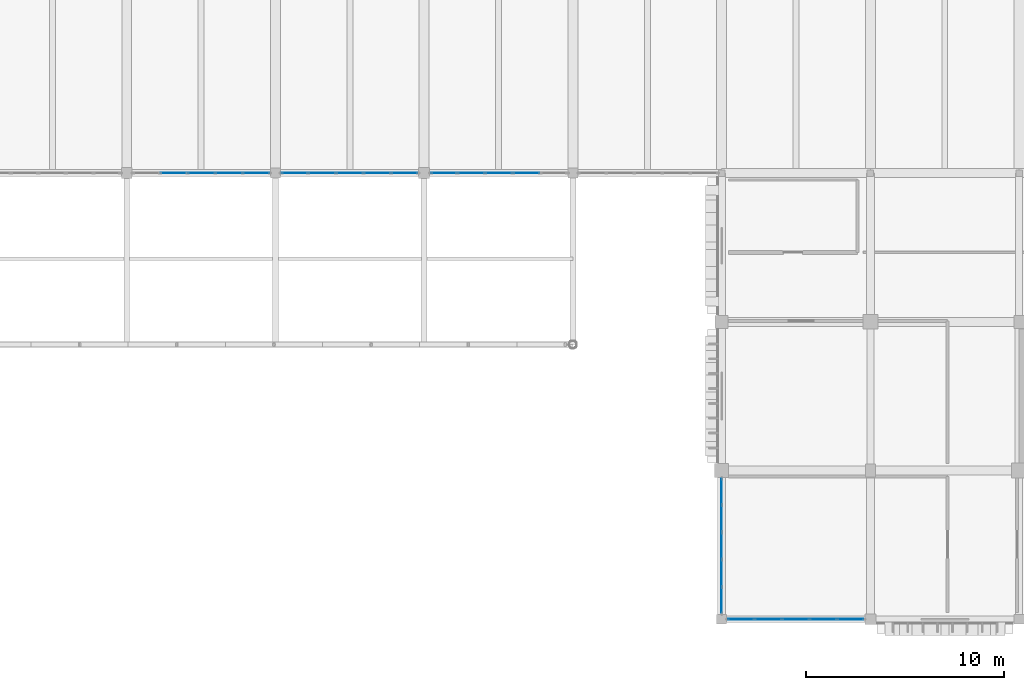
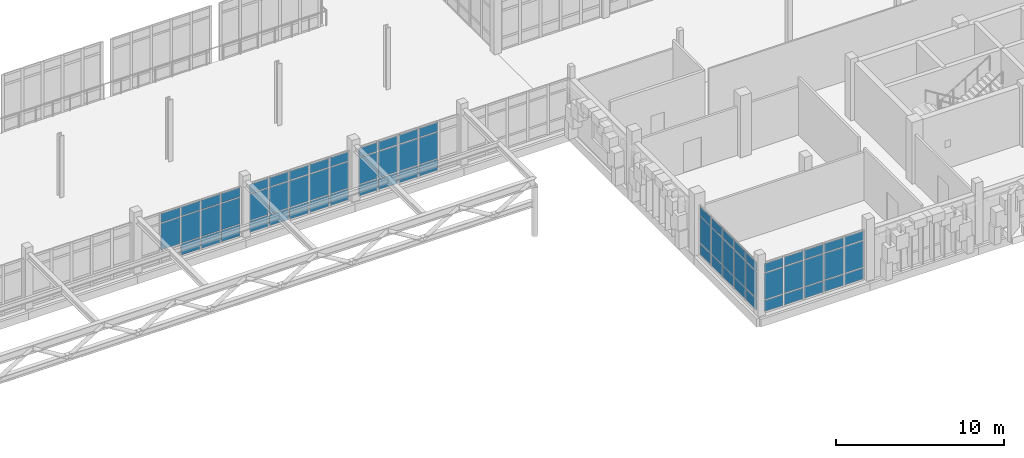
# One storey, part 76 of 128: 68 plates, 5 elements without a shape of their own.
"""IFC4 building model written with IfcOpenShell, lengths in metres."""

import ifcopenshell
import ifcopenshell.guid

model = None  # the IFC model being written
_history = None  # IfcOwnerHistory: only IFC2X3 demands one
_inside = {}  # id of a spatial element -> (the spatial element, [elements in it])
_under = {}  # id of a project, library or spatial element -> (it, [spatial elements below it])
_declared = {}  # id of a project -> (the project, [libraries it declares])
_typed = {}  # id of a type object -> (the type object, [elements of that type])
_made_of = {}  # id of a material, layer set ... -> (it, [elements and type objects made of it])


def new_model(schema):
    """Start an empty IFC model of exactly this schema.

    Asked for "IFC4X3", IfcOpenShell would pick the latest addendum, in which some entities
    have other attributes; the version numbers below select the first issue.
    IFC2X3 requires an IfcOwnerHistory on every rooted entity: one is made here for all.
    """
    global model, _history
    if schema == "IFC4X3":
        model = ifcopenshell.file(schema_version=(4, 3, 0, 0))
    else:
        model = ifcopenshell.file(schema=schema)
    _inside.clear()
    _under.clear()
    _declared.clear()
    _typed.clear()
    _made_of.clear()
    _history = None
    if model.schema == "IFC2X3":
        org = make("IfcOrganization", Name="unknown")
        user = make(
            "IfcPersonAndOrganization",
            ThePerson=make("IfcPerson", FamilyName="unknown"),
            TheOrganization=org,
        )
        app = make(
            "IfcApplication",
            ApplicationDeveloper=org,
            Version="unknown",
            ApplicationFullName="unknown",
            ApplicationIdentifier="unknown",
        )
        _history = make(
            "IfcOwnerHistory",
            OwningUser=user,
            OwningApplication=app,
            ChangeAction="ADDED",
            CreationDate=0,
        )
    return model


def make(cls, **values):
    """One entity of the class cls with the attributes given. An attribute that is None is left unset."""
    return model.create_entity(
        cls, **{name: value for name, value in values.items() if value is not None}
    )


def rooted(cls, **values):
    """An entity with a GlobalId (a new one), such as an element, a storey or a relation."""
    return make(cls, GlobalId=ifcopenshell.guid.new(), OwnerHistory=_history, **values)


def si_unit(unit_type, name, prefix=None):
    """IfcSIUnit, for example si_unit("LENGTHUNIT", "METRE", prefix="MILLI")."""
    return make("IfcSIUnit", UnitType=unit_type, Prefix=prefix, Name=name)


def assignment(units):
    """IfcUnitAssignment: the units of a project."""
    return None if units is None else make("IfcUnitAssignment", Units=units)


def point(xyz):
    """IfcCartesianPoint."""
    return None if xyz is None else make("IfcCartesianPoint", Coordinates=xyz)


def direction(xyz):
    """IfcDirection."""
    return None if xyz is None else make("IfcDirection", DirectionRatios=xyz)


def frame(location, z_axis=None, x_axis=None):
    """IfcAxis2Placement3D, a coordinate frame: its origin and axes. An axis left out is left unset."""
    return make(
        "IfcAxis2Placement3D",
        Location=point(location),
        Axis=direction(z_axis),
        RefDirection=direction(x_axis),
    )


def frame_2d(location, x_axis=None):
    """IfcAxis2Placement2D, a coordinate frame in the plane: its origin and x axis."""
    return make(
        "IfcAxis2Placement2D", Location=point(location), RefDirection=direction(x_axis)
    )


def origin():
    """The frame at (0, 0, 0) with its axes left unset."""
    return frame((0.0, 0.0, 0.0))


def origin_2d():
    """The frame at (0, 0) in the plane with its x axis left unset."""
    return frame_2d((0.0, 0.0))


def place(relative_to, where):
    """IfcLocalPlacement: puts the frame where relative to a parent placement (None: the world)."""
    return make(
        "IfcLocalPlacement", PlacementRelTo=relative_to, RelativePlacement=where
    )


def context(
    kind, dimensions, precision=None, world=None, true_north=None, identifier=None
):
    """IfcGeometricRepresentationContext, for example the 3D "Model" context."""
    return make(
        "IfcGeometricRepresentationContext",
        ContextIdentifier=identifier,
        ContextType=kind,
        CoordinateSpaceDimension=dimensions,
        Precision=precision,
        WorldCoordinateSystem=world,
        TrueNorth=true_north,
    )


def subcontext(parent, identifier, kind, view, scale=None):
    """IfcGeometricRepresentationSubContext, for example "Body" below "Model"."""
    return make(
        "IfcGeometricRepresentationSubContext",
        ContextIdentifier=identifier,
        ContextType=kind,
        ParentContext=parent,
        TargetScale=scale,
        TargetView=view,
    )


def project(units=None, contexts=None):
    """IfcProject with its units and contexts."""
    return rooted(
        "IfcProject",
        Name="project",
        RepresentationContexts=contexts,
        UnitsInContext=assignment(units),
    )


def spatial(cls, under=None, at=None, **own):
    """A site, building, storey or space (cls), placed at a placement, below another one or the project."""
    s = rooted(cls, ObjectPlacement=at, **own)
    if under is not None:
        _under.setdefault(under.id(), (under, []))[1].append(s)
    return s


def profile(cls, at=None, kind="AREA", **sizes):
    """A parametric profile (cls). Its sizes go by their IFC names, for example OverallWidth=200.0."""
    return make(cls, ProfileType=kind, Position=at, **sizes)


def rectangle(**sizes):
    """IfcRectangleProfileDef."""
    return profile("IfcRectangleProfileDef", **sizes)


def extrude(swept, where, along, depth):
    """IfcExtrudedAreaSolid: the profile swept, set in the frame where, extruded along a direction by depth."""
    return make(
        "IfcExtrudedAreaSolid",
        SweptArea=swept,
        Position=where,
        ExtrudedDirection=direction(along),
        Depth=depth,
    )


def shape(context_of_items, identifier, shape_type, items):
    """IfcShapeRepresentation: the items that make up one representation, for example the "Body"."""
    return make(
        "IfcShapeRepresentation",
        ContextOfItems=context_of_items,
        RepresentationIdentifier=identifier,
        RepresentationType=shape_type,
        Items=items,
    )


def material(Name=None, Category=None):
    """IfcMaterial."""
    return make("IfcMaterial", Name=Name, Category=Category)


def layer(
    of_material, thickness, ventilated=None, Name=None, Category=None, Priority=None
):
    """IfcMaterialLayer: one layer of a wall or slab, of a material (None: an air gap)."""
    return make(
        "IfcMaterialLayer",
        Material=of_material,
        LayerThickness=thickness,
        IsVentilated=ventilated,
        Name=Name,
        Category=Category,
        Priority=Priority,
    )


def layer_set(layers, Name=None):
    """IfcMaterialLayerSet."""
    return make("IfcMaterialLayerSet", MaterialLayers=layers, LayerSetName=Name)


def made_of(thing, what):
    """Note that an element or type object is made of a material, layer set ...; save() writes the relation."""
    if what is not None:
        _made_of.setdefault(what.id(), (what, []))[1].append(thing)
    return thing


def type_object(cls, material=None, **own):
    """A type object (cls), such as IfcWallType, which elements share."""
    return made_of(rooted(cls, **own), material)


def element(
    cls,
    number,
    at=None,
    inside=None,
    cuts=None,
    type_object=None,
    material=None,
    context=None,
    identifier="Body",
    shape_type=None,
    held_by="IfcProductDefinitionShape",
    body=None,
    shapes=None,
    **own,
):
    """One element of the class cls, such as IfcWall. Its Tag is "e" and its number.

    at: its placement. inside: the storey or other place that contains it. cuts: it is an
    opening in that element (IfcRelVoidsElement). A single representation is given by context,
    identifier, shape_type and body (its items); several are given by shapes. held_by: the class
    of the entity that holds the representations. save() writes the other relations.
    """
    e = rooted(cls, Tag="e%d" % number, ObjectPlacement=at, **own)
    if body is not None:
        shapes = [shape(context, identifier, shape_type, body)]
    if shapes is not None:
        e.Representation = make(held_by, Representations=shapes)
    if inside is not None:
        _inside.setdefault(inside.id(), (inside, []))[1].append(e)
    if cuts is not None:
        rooted(
            "IfcRelVoidsElement", RelatingBuildingElement=cuts, RelatedOpeningElement=e
        )
    if type_object is not None:
        _typed.setdefault(type_object.id(), (type_object, []))[1].append(e)
    return made_of(e, material)


def aggregate(whole, parts):
    """IfcRelAggregates: a whole, such as a stair, and the parts it consists of."""
    return rooted("IfcRelAggregates", RelatingObject=whole, RelatedObjects=parts)


def save(model, path):
    """Write the relations noted so far, then the file.

    IfcRelAggregates (storeys below a building ...), IfcRelContainedInSpatialStructure (elements
    in a storey), IfcRelDefinesByType, IfcRelAssociatesMaterial and IfcRelDeclares: one each for
    every whole, place, type object, material and project.
    """
    for whole, parts in _under.values():
        aggregate(whole, parts)
    for where, things in _inside.values():
        rooted(
            "IfcRelContainedInSpatialStructure",
            RelatedElements=things,
            RelatingStructure=where,
        )
    for kind, things in _typed.values():
        rooted("IfcRelDefinesByType", RelatedObjects=things, RelatingType=kind)
    for what, things in _made_of.values():
        rooted("IfcRelAssociatesMaterial", RelatedObjects=things, RelatingMaterial=what)
    for by, libraries in _declared.values():
        rooted("IfcRelDeclares", RelatingContext=by, RelatedDefinitions=libraries)
    model.write(path)


model = new_model("IFC4")

# Units and contexts
model_context = context("Model", 3, precision=1e-05, world=origin(), true_north=direction((0.0, 1.0)))
body_context = subcontext(model_context, "Body", "Model", "MODEL_VIEW")
ifc_project = project(units=[si_unit("LENGTHUNIT", "METRE"), si_unit("AREAUNIT", "SQUARE_METRE"), si_unit("VOLUMEUNIT", "CUBIC_METRE"), si_unit("PLANEANGLEUNIT", "RADIAN"), si_unit("MASSUNIT", "GRAM", prefix="KILO")], contexts=[model_context])

# Site, building, storey
site_placement = place(None, origin())
site = spatial("IfcSite", under=ifc_project, at=site_placement, CompositionType="ELEMENT")
building_placement = place(site_placement, origin())
building = spatial("IfcBuilding", under=site, at=building_placement, Name="Dalvernix Boulevard General Hospital", CompositionType="ELEMENT")
storey_placement = place(building_placement, frame((0.0, 0.0, 4.800048828125)))
storey = spatial("IfcBuildingStorey", under=building, at=storey_placement, Name="L01", CompositionType="ELEMENT", Elevation=4.800048828125)

# Curtain wall, plates
ifc_material_1 = material(Name="Thermally broken aluminium and solar-control glass curtain wall", Category="aluminium")
ifc_layer_1 = layer(ifc_material_1, 0.159912109375)
ifc_layer_set_1 = layer_set([ifc_layer_1], Name="Thermally broken aluminium and solar-control glass curtain wall (CW-CW-A-70x36)")
curtain_wall_type_1 = type_object("IfcCurtainWallType", Name="CW-CW-A-70x36", PredefinedType="USERDEFINED", material=ifc_layer_set_1)
curtain_wall_1_placement = place(storey_placement, origin())
curtain_wall_1 = element("IfcCurtainWall", 1, at=curtain_wall_1_placement, inside=storey, type_object=curtain_wall_type_1, Name="L01 curtain wall CW-A-70x36 11-3", ObjectType="GLAZED FACADE", PredefinedType="USERDEFINED")
ifc_material_2 = material(Name="Double-glazed solar-control low-emissivity glass", Category="glass")
ifc_layer_2 = layer(ifc_material_2, 0.02392578125)
ifc_layer_set_2 = layer_set([ifc_layer_2], Name="Double-glazed solar-control low-emissivity glass (PLT-CW-P1)")
plate_type_1 = type_object("IfcPlateType", Name="PLT-CW-P1", PredefinedType="CURTAIN_PANEL", material=ifc_layer_set_2)
plate_1_placement = place(storey_placement, frame((89.029541015625, 22.5, 0.059814453125), z_axis=(0.0, 0.0, 1.0), x_axis=(-1.0, 0.0, 0.0)))
plate_1 = element("IfcPlate", 2, at=plate_1_placement, type_object=plate_type_1, Name="CW-A-70x36 panel 1.1", PredefinedType="CURTAIN_PANEL", context=body_context, shape_type="SweptSolid", body=[
    extrude(rectangle(XDim=1.301025390625, YDim=0.02392578125, at=origin_2d()), origin(), (0.0, 0.0, 1.0), 0.81005859375),
])
plate_2_placement = place(storey_placement, frame((89.029541015625, 22.5, 0.929931640625), z_axis=(0.0, 0.0, 1.0), x_axis=(-1.0, 0.0, 0.0)))
plate_2 = element("IfcPlate", 3, at=plate_2_placement, type_object=plate_type_1, Name="CW-A-70x36 panel 1.2", PredefinedType="CURTAIN_PANEL", context=body_context, shape_type="SweptSolid", body=[
    extrude(rectangle(XDim=1.301025390625, YDim=0.02392578125, at=origin_2d()), origin(), (0.0, 0.0, 1.0), 1.919921875),
])
plate_3_placement = place(storey_placement, frame((89.029541015625, 22.5, 2.91015625), z_axis=(0.0, 0.0, 1.0), x_axis=(-1.0, 0.0, 0.0)))
plate_3 = element("IfcPlate", 4, at=plate_3_placement, type_object=plate_type_1, Name="CW-A-70x36 panel 1.3", PredefinedType="CURTAIN_PANEL", context=body_context, shape_type="SweptSolid", body=[
    extrude(rectangle(XDim=1.301025390625, YDim=0.02392578125, at=origin_2d()), origin(), (0.0, 0.0, 1.0), 0.659912109375),
])
plate_4_placement = place(storey_placement, frame((87.653564453125, 22.5, 0.059814453125), z_axis=(0.0, 0.0, 1.0), x_axis=(-1.0, 0.0, 0.0)))
plate_4 = element("IfcPlate", 5, at=plate_4_placement, type_object=plate_type_1, Name="CW-A-70x36 panel 2.1", PredefinedType="CURTAIN_PANEL", context=body_context, shape_type="SweptSolid", body=[
    extrude(rectangle(XDim=1.3310546875, YDim=0.02392578125, at=origin_2d()), origin(), (0.0, 0.0, 1.0), 0.81005859375),
])
plate_5_placement = place(storey_placement, frame((87.653564453125, 22.5, 0.929931640625), z_axis=(0.0, 0.0, 1.0), x_axis=(-1.0, 0.0, 0.0)))
plate_5 = element("IfcPlate", 6, at=plate_5_placement, type_object=plate_type_1, Name="CW-A-70x36 panel 2.2", PredefinedType="CURTAIN_PANEL", context=body_context, shape_type="SweptSolid", body=[
    extrude(rectangle(XDim=1.3310546875, YDim=0.02392578125, at=origin_2d()), origin(), (0.0, 0.0, 1.0), 1.919921875),
])
plate_6_placement = place(storey_placement, frame((87.653564453125, 22.5, 2.91015625), z_axis=(0.0, 0.0, 1.0), x_axis=(-1.0, 0.0, 0.0)))
plate_6 = element("IfcPlate", 7, at=plate_6_placement, type_object=plate_type_1, Name="CW-A-70x36 panel 2.3", PredefinedType="CURTAIN_PANEL", context=body_context, shape_type="SweptSolid", body=[
    extrude(rectangle(XDim=1.3310546875, YDim=0.02392578125, at=origin_2d()), origin(), (0.0, 0.0, 1.0), 0.659912109375),
])
plate_7_placement = place(storey_placement, frame((86.262451171875, 22.5, 0.059814453125), z_axis=(0.0, 0.0, 1.0), x_axis=(-1.0, 0.0, 0.0)))
plate_7 = element("IfcPlate", 8, at=plate_7_placement, type_object=plate_type_1, Name="CW-A-70x36 panel 3.1", PredefinedType="CURTAIN_PANEL", context=body_context, shape_type="SweptSolid", body=[
    extrude(rectangle(XDim=1.3310546875, YDim=0.02392578125, at=origin_2d()), origin(), (0.0, 0.0, 1.0), 0.81005859375),
])
plate_8_placement = place(storey_placement, frame((86.262451171875, 22.5, 0.929931640625), z_axis=(0.0, 0.0, 1.0), x_axis=(-1.0, 0.0, 0.0)))
plate_8 = element("IfcPlate", 9, at=plate_8_placement, type_object=plate_type_1, Name="CW-A-70x36 panel 3.2", PredefinedType="CURTAIN_PANEL", context=body_context, shape_type="SweptSolid", body=[
    extrude(rectangle(XDim=1.3310546875, YDim=0.02392578125, at=origin_2d()), origin(), (0.0, 0.0, 1.0), 1.919921875),
])
plate_9_placement = place(storey_placement, frame((86.262451171875, 22.5, 2.91015625), z_axis=(0.0, 0.0, 1.0), x_axis=(-1.0, 0.0, 0.0)))
plate_9 = element("IfcPlate", 10, at=plate_9_placement, type_object=plate_type_1, Name="CW-A-70x36 panel 3.3", PredefinedType="CURTAIN_PANEL", context=body_context, shape_type="SweptSolid", body=[
    extrude(rectangle(XDim=1.3310546875, YDim=0.02392578125, at=origin_2d()), origin(), (0.0, 0.0, 1.0), 0.659912109375),
])
plate_10_placement = place(storey_placement, frame((84.87158203125, 22.5, 0.929931640625), z_axis=(0.0, 0.0, 1.0), x_axis=(-1.0, 0.0, 0.0)))
plate_10 = element("IfcPlate", 11, at=plate_10_placement, type_object=plate_type_1, Name="CW-A-70x36 panel 4.2", PredefinedType="CURTAIN_PANEL", context=body_context, shape_type="SweptSolid", body=[
    extrude(rectangle(XDim=1.3310546875, YDim=0.02392578125, at=origin_2d()), origin(), (0.0, 0.0, 1.0), 1.919921875),
])
plate_11_placement = place(storey_placement, frame((84.87158203125, 22.5, 2.91015625), z_axis=(0.0, 0.0, 1.0), x_axis=(-1.0, 0.0, 0.0)))
plate_11 = element("IfcPlate", 12, at=plate_11_placement, type_object=plate_type_1, Name="CW-A-70x36 panel 4.3", PredefinedType="CURTAIN_PANEL", context=body_context, shape_type="SweptSolid", body=[
    extrude(rectangle(XDim=1.3310546875, YDim=0.02392578125, at=origin_2d()), origin(), (0.0, 0.0, 1.0), 0.659912109375),
])
aggregate(curtain_wall_1, [plate_1, plate_2, plate_3, plate_4, plate_5, plate_6, plate_7, plate_8, plate_9, plate_10, plate_11])

ifc_layer_3 = layer(ifc_material_1, 0.179931640625)
ifc_layer_set_3 = layer_set([ifc_layer_3], Name="Thermally broken aluminium and solar-control glass curtain wall (CW-CW-B-70x36)")
curtain_wall_type_2 = type_object("IfcCurtainWallType", Name="CW-CW-B-70x36", PredefinedType="USERDEFINED", material=ifc_layer_set_3)
curtain_wall_2_placement = place(storey_placement, origin())
curtain_wall_2 = element("IfcCurtainWall", 13, at=curtain_wall_2_placement, inside=storey, type_object=curtain_wall_type_2, Name="L01 curtain wall CW-B-70x36 12-3", ObjectType="GLAZED FACADE", PredefinedType="USERDEFINED")
ifc_layer_4 = layer(ifc_material_2, 0.028076171875)
ifc_layer_set_4 = layer_set([ifc_layer_4], Name="Double-glazed solar-control low-emissivity glass (PLT-CW-P2)")
plate_type_2 = type_object("IfcPlateType", Name="PLT-CW-P2", PredefinedType="CURTAIN_PANEL", material=ifc_layer_set_4)
plate_12_placement = place(storey_placement, frame((96.503173828125, 22.5, 0.06494140625), z_axis=(0.0, 0.0, 1.0), x_axis=(-1.0, 0.0, 0.0)))
plate_12 = element("IfcPlate", 14, at=plate_12_placement, type_object=plate_type_2, Name="CW-B-70x36 panel 1.1", PredefinedType="CURTAIN_PANEL", context=body_context, shape_type="SweptSolid", body=[
    extrude(rectangle(XDim=1.29345703125, YDim=0.028076171875, at=origin_2d()), origin(), (0.0, 0.0, 1.0), 0.802490234375),
])
plate_13_placement = place(storey_placement, frame((96.503173828125, 22.5, 0.932373046875), z_axis=(0.0, 0.0, 1.0), x_axis=(-1.0, 0.0, 0.0)))
plate_13 = element("IfcPlate", 15, at=plate_13_placement, type_object=plate_type_2, Name="CW-B-70x36 panel 1.2", PredefinedType="CURTAIN_PANEL", context=body_context, shape_type="SweptSolid", body=[
    extrude(rectangle(XDim=1.29345703125, YDim=0.028076171875, at=origin_2d()), origin(), (0.0, 0.0, 1.0), 1.9150390625),
])
plate_14_placement = place(storey_placement, frame((96.503173828125, 22.5, 2.91259765625), z_axis=(0.0, 0.0, 1.0), x_axis=(-1.0, 0.0, 0.0)))
plate_14 = element("IfcPlate", 16, at=plate_14_placement, type_object=plate_type_2, Name="CW-B-70x36 panel 1.3", PredefinedType="CURTAIN_PANEL", context=body_context, shape_type="SweptSolid", body=[
    extrude(rectangle(XDim=1.29345703125, YDim=0.028076171875, at=origin_2d()), origin(), (0.0, 0.0, 1.0), 0.652587890625),
])
plate_15_placement = place(storey_placement, frame((95.12841796875, 22.5, 0.06494140625), z_axis=(0.0, 0.0, 1.0), x_axis=(-1.0, 0.0, 0.0)))
plate_15 = element("IfcPlate", 17, at=plate_15_placement, type_object=plate_type_2, Name="CW-B-70x36 panel 2.1", PredefinedType="CURTAIN_PANEL", context=body_context, shape_type="SweptSolid", body=[
    extrude(rectangle(XDim=1.325927734375, YDim=0.028076171875, at=origin_2d()), origin(), (0.0, 0.0, 1.0), 0.802490234375),
])
plate_16_placement = place(storey_placement, frame((95.12841796875, 22.5, 0.932373046875), z_axis=(0.0, 0.0, 1.0), x_axis=(-1.0, 0.0, 0.0)))
plate_16 = element("IfcPlate", 18, at=plate_16_placement, type_object=plate_type_2, Name="CW-B-70x36 panel 2.2", PredefinedType="CURTAIN_PANEL", context=body_context, shape_type="SweptSolid", body=[
    extrude(rectangle(XDim=1.325927734375, YDim=0.028076171875, at=origin_2d()), origin(), (0.0, 0.0, 1.0), 1.9150390625),
])
plate_17_placement = place(storey_placement, frame((95.12841796875, 22.5, 2.91259765625), z_axis=(0.0, 0.0, 1.0), x_axis=(-1.0, 0.0, 0.0)))
plate_17 = element("IfcPlate", 19, at=plate_17_placement, type_object=plate_type_2, Name="CW-B-70x36 panel 2.3", PredefinedType="CURTAIN_PANEL", context=body_context, shape_type="SweptSolid", body=[
    extrude(rectangle(XDim=1.325927734375, YDim=0.028076171875, at=origin_2d()), origin(), (0.0, 0.0, 1.0), 0.652587890625),
])
plate_18_placement = place(storey_placement, frame((93.737548828125, 22.5, 0.06494140625), z_axis=(0.0, 0.0, 1.0), x_axis=(-1.0, 0.0, 0.0)))
plate_18 = element("IfcPlate", 20, at=plate_18_placement, type_object=plate_type_2, Name="CW-B-70x36 panel 3.1", PredefinedType="CURTAIN_PANEL", context=body_context, shape_type="SweptSolid", body=[
    extrude(rectangle(XDim=1.325927734375, YDim=0.028076171875, at=origin_2d()), origin(), (0.0, 0.0, 1.0), 0.802490234375),
])
plate_19_placement = place(storey_placement, frame((93.737548828125, 22.5, 0.932373046875), z_axis=(0.0, 0.0, 1.0), x_axis=(-1.0, 0.0, 0.0)))
plate_19 = element("IfcPlate", 21, at=plate_19_placement, type_object=plate_type_2, Name="CW-B-70x36 panel 3.2", PredefinedType="CURTAIN_PANEL", context=body_context, shape_type="SweptSolid", body=[
    extrude(rectangle(XDim=1.325927734375, YDim=0.028076171875, at=origin_2d()), origin(), (0.0, 0.0, 1.0), 1.9150390625),
])
plate_20_placement = place(storey_placement, frame((93.737548828125, 22.5, 2.91259765625), z_axis=(0.0, 0.0, 1.0), x_axis=(-1.0, 0.0, 0.0)))
plate_20 = element("IfcPlate", 22, at=plate_20_placement, type_object=plate_type_2, Name="CW-B-70x36 panel 3.3", PredefinedType="CURTAIN_PANEL", context=body_context, shape_type="SweptSolid", body=[
    extrude(rectangle(XDim=1.325927734375, YDim=0.028076171875, at=origin_2d()), origin(), (0.0, 0.0, 1.0), 0.652587890625),
])
plate_21_placement = place(storey_placement, frame((92.346435546875, 22.5, 0.06494140625), z_axis=(0.0, 0.0, 1.0), x_axis=(-1.0, 0.0, 0.0)))
plate_21 = element("IfcPlate", 23, at=plate_21_placement, type_object=plate_type_2, Name="CW-B-70x36 panel 4.1", PredefinedType="CURTAIN_PANEL", context=body_context, shape_type="SweptSolid", body=[
    extrude(rectangle(XDim=1.325927734375, YDim=0.028076171875, at=origin_2d()), origin(), (0.0, 0.0, 1.0), 0.802490234375),
])
plate_22_placement = place(storey_placement, frame((92.346435546875, 22.5, 0.932373046875), z_axis=(0.0, 0.0, 1.0), x_axis=(-1.0, 0.0, 0.0)))
plate_22 = element("IfcPlate", 24, at=plate_22_placement, type_object=plate_type_2, Name="CW-B-70x36 panel 4.2", PredefinedType="CURTAIN_PANEL", context=body_context, shape_type="SweptSolid", body=[
    extrude(rectangle(XDim=1.325927734375, YDim=0.028076171875, at=origin_2d()), origin(), (0.0, 0.0, 1.0), 1.9150390625),
])
plate_23_placement = place(storey_placement, frame((92.346435546875, 22.5, 2.91259765625), z_axis=(0.0, 0.0, 1.0), x_axis=(-1.0, 0.0, 0.0)))
plate_23 = element("IfcPlate", 25, at=plate_23_placement, type_object=plate_type_2, Name="CW-B-70x36 panel 4.3", PredefinedType="CURTAIN_PANEL", context=body_context, shape_type="SweptSolid", body=[
    extrude(rectangle(XDim=1.325927734375, YDim=0.028076171875, at=origin_2d()), origin(), (0.0, 0.0, 1.0), 0.652587890625),
])
plate_24_placement = place(storey_placement, frame((90.9716796875, 22.5, 0.06494140625), z_axis=(0.0, 0.0, 1.0), x_axis=(-1.0, 0.0, 0.0)))
plate_24 = element("IfcPlate", 26, at=plate_24_placement, type_object=plate_type_2, Name="CW-B-70x36 panel 5.1", PredefinedType="CURTAIN_PANEL", context=body_context, shape_type="SweptSolid", body=[
    extrude(rectangle(XDim=1.29345703125, YDim=0.028076171875, at=origin_2d()), origin(), (0.0, 0.0, 1.0), 0.802490234375),
])
plate_25_placement = place(storey_placement, frame((90.9716796875, 22.5, 0.932373046875), z_axis=(0.0, 0.0, 1.0), x_axis=(-1.0, 0.0, 0.0)))
plate_25 = element("IfcPlate", 27, at=plate_25_placement, type_object=plate_type_2, Name="CW-B-70x36 panel 5.2", PredefinedType="CURTAIN_PANEL", context=body_context, shape_type="SweptSolid", body=[
    extrude(rectangle(XDim=1.29345703125, YDim=0.028076171875, at=origin_2d()), origin(), (0.0, 0.0, 1.0), 1.9150390625),
])
plate_26_placement = place(storey_placement, frame((90.9716796875, 22.5, 2.91259765625), z_axis=(0.0, 0.0, 1.0), x_axis=(-1.0, 0.0, 0.0)))
plate_26 = element("IfcPlate", 28, at=plate_26_placement, type_object=plate_type_2, Name="CW-B-70x36 panel 5.3", PredefinedType="CURTAIN_PANEL", context=body_context, shape_type="SweptSolid", body=[
    extrude(rectangle(XDim=1.29345703125, YDim=0.028076171875, at=origin_2d()), origin(), (0.0, 0.0, 1.0), 0.652587890625),
])
aggregate(curtain_wall_2, [plate_12, plate_13, plate_14, plate_15, plate_16, plate_17, plate_18, plate_19, plate_20, plate_21, plate_22, plate_23, plate_24, plate_25, plate_26])

curtain_wall_3_placement = place(storey_placement, origin())
curtain_wall_3 = element("IfcCurtainWall", 29, at=curtain_wall_3_placement, inside=storey, type_object=curtain_wall_type_2, Name="L01 curtain wall CW-B-70x36 15-0", ObjectType="GLAZED FACADE", PredefinedType="USERDEFINED")
plate_27_placement = place(storey_placement, frame((119.003173828125, 0.0, 0.06494140625), z_axis=(0.0, 0.0, 1.0), x_axis=(-1.0, 0.0, 0.0)))
plate_27 = element("IfcPlate", 30, at=plate_27_placement, type_object=plate_type_2, Name="CW-B-70x36 panel 1.1", PredefinedType="CURTAIN_PANEL", context=body_context, shape_type="SweptSolid", body=[
    extrude(rectangle(XDim=1.29345703125, YDim=0.028076171875, at=origin_2d()), origin(), (0.0, 0.0, 1.0), 0.802490234375),
])
plate_28_placement = place(storey_placement, frame((119.003173828125, 0.0, 0.932373046875), z_axis=(0.0, 0.0, 1.0), x_axis=(-1.0, 0.0, 0.0)))
plate_28 = element("IfcPlate", 31, at=plate_28_placement, type_object=plate_type_2, Name="CW-B-70x36 panel 1.2", PredefinedType="CURTAIN_PANEL", context=body_context, shape_type="SweptSolid", body=[
    extrude(rectangle(XDim=1.29345703125, YDim=0.028076171875, at=origin_2d()), origin(), (0.0, 0.0, 1.0), 1.9150390625),
])
plate_29_placement = place(storey_placement, frame((119.003173828125, 0.0, 2.91259765625), z_axis=(0.0, 0.0, 1.0), x_axis=(-1.0, 0.0, 0.0)))
plate_29 = element("IfcPlate", 32, at=plate_29_placement, type_object=plate_type_2, Name="CW-B-70x36 panel 1.3", PredefinedType="CURTAIN_PANEL", context=body_context, shape_type="SweptSolid", body=[
    extrude(rectangle(XDim=1.29345703125, YDim=0.028076171875, at=origin_2d()), origin(), (0.0, 0.0, 1.0), 0.652587890625),
])
plate_30_placement = place(storey_placement, frame((117.62841796875, 0.0, 0.06494140625), z_axis=(0.0, 0.0, 1.0), x_axis=(-1.0, 0.0, 0.0)))
plate_30 = element("IfcPlate", 33, at=plate_30_placement, type_object=plate_type_2, Name="CW-B-70x36 panel 2.1", PredefinedType="CURTAIN_PANEL", context=body_context, shape_type="SweptSolid", body=[
    extrude(rectangle(XDim=1.325927734375, YDim=0.028076171875, at=origin_2d()), origin(), (0.0, 0.0, 1.0), 0.802490234375),
])
plate_31_placement = place(storey_placement, frame((117.62841796875, 0.0, 0.932373046875), z_axis=(0.0, 0.0, 1.0), x_axis=(-1.0, 0.0, 0.0)))
plate_31 = element("IfcPlate", 34, at=plate_31_placement, type_object=plate_type_2, Name="CW-B-70x36 panel 2.2", PredefinedType="CURTAIN_PANEL", context=body_context, shape_type="SweptSolid", body=[
    extrude(rectangle(XDim=1.325927734375, YDim=0.028076171875, at=origin_2d()), origin(), (0.0, 0.0, 1.0), 1.9150390625),
])
plate_32_placement = place(storey_placement, frame((117.62841796875, 0.0, 2.91259765625), z_axis=(0.0, 0.0, 1.0), x_axis=(-1.0, 0.0, 0.0)))
plate_32 = element("IfcPlate", 35, at=plate_32_placement, type_object=plate_type_2, Name="CW-B-70x36 panel 2.3", PredefinedType="CURTAIN_PANEL", context=body_context, shape_type="SweptSolid", body=[
    extrude(rectangle(XDim=1.325927734375, YDim=0.028076171875, at=origin_2d()), origin(), (0.0, 0.0, 1.0), 0.652587890625),
])
plate_33_placement = place(storey_placement, frame((116.237548828125, 0.0, 0.06494140625), z_axis=(0.0, 0.0, 1.0), x_axis=(-1.0, 0.0, 0.0)))
plate_33 = element("IfcPlate", 36, at=plate_33_placement, type_object=plate_type_2, Name="CW-B-70x36 panel 3.1", PredefinedType="CURTAIN_PANEL", context=body_context, shape_type="SweptSolid", body=[
    extrude(rectangle(XDim=1.325927734375, YDim=0.028076171875, at=origin_2d()), origin(), (0.0, 0.0, 1.0), 0.802490234375),
])
plate_34_placement = place(storey_placement, frame((116.237548828125, 0.0, 0.932373046875), z_axis=(0.0, 0.0, 1.0), x_axis=(-1.0, 0.0, 0.0)))
plate_34 = element("IfcPlate", 37, at=plate_34_placement, type_object=plate_type_2, Name="CW-B-70x36 panel 3.2", PredefinedType="CURTAIN_PANEL", context=body_context, shape_type="SweptSolid", body=[
    extrude(rectangle(XDim=1.325927734375, YDim=0.028076171875, at=origin_2d()), origin(), (0.0, 0.0, 1.0), 1.9150390625),
])
plate_35_placement = place(storey_placement, frame((116.237548828125, 0.0, 2.91259765625), z_axis=(0.0, 0.0, 1.0), x_axis=(-1.0, 0.0, 0.0)))
plate_35 = element("IfcPlate", 38, at=plate_35_placement, type_object=plate_type_2, Name="CW-B-70x36 panel 3.3", PredefinedType="CURTAIN_PANEL", context=body_context, shape_type="SweptSolid", body=[
    extrude(rectangle(XDim=1.325927734375, YDim=0.028076171875, at=origin_2d()), origin(), (0.0, 0.0, 1.0), 0.652587890625),
])
plate_36_placement = place(storey_placement, frame((114.846435546875, 0.0, 0.06494140625), z_axis=(0.0, 0.0, 1.0), x_axis=(-1.0, 0.0, 0.0)))
plate_36 = element("IfcPlate", 39, at=plate_36_placement, type_object=plate_type_2, Name="CW-B-70x36 panel 4.1", PredefinedType="CURTAIN_PANEL", context=body_context, shape_type="SweptSolid", body=[
    extrude(rectangle(XDim=1.325927734375, YDim=0.028076171875, at=origin_2d()), origin(), (0.0, 0.0, 1.0), 0.802490234375),
])
plate_37_placement = place(storey_placement, frame((114.846435546875, 0.0, 0.932373046875), z_axis=(0.0, 0.0, 1.0), x_axis=(-1.0, 0.0, 0.0)))
plate_37 = element("IfcPlate", 40, at=plate_37_placement, type_object=plate_type_2, Name="CW-B-70x36 panel 4.2", PredefinedType="CURTAIN_PANEL", context=body_context, shape_type="SweptSolid", body=[
    extrude(rectangle(XDim=1.325927734375, YDim=0.028076171875, at=origin_2d()), origin(), (0.0, 0.0, 1.0), 1.9150390625),
])
plate_38_placement = place(storey_placement, frame((114.846435546875, 0.0, 2.91259765625), z_axis=(0.0, 0.0, 1.0), x_axis=(-1.0, 0.0, 0.0)))
plate_38 = element("IfcPlate", 41, at=plate_38_placement, type_object=plate_type_2, Name="CW-B-70x36 panel 4.3", PredefinedType="CURTAIN_PANEL", context=body_context, shape_type="SweptSolid", body=[
    extrude(rectangle(XDim=1.325927734375, YDim=0.028076171875, at=origin_2d()), origin(), (0.0, 0.0, 1.0), 0.652587890625),
])
plate_39_placement = place(storey_placement, frame((113.4716796875, 0.0, 0.06494140625), z_axis=(0.0, 0.0, 1.0), x_axis=(-1.0, 0.0, 0.0)))
plate_39 = element("IfcPlate", 42, at=plate_39_placement, type_object=plate_type_2, Name="CW-B-70x36 panel 5.1", PredefinedType="CURTAIN_PANEL", context=body_context, shape_type="SweptSolid", body=[
    extrude(rectangle(XDim=1.29345703125, YDim=0.028076171875, at=origin_2d()), origin(), (0.0, 0.0, 1.0), 0.802490234375),
])
plate_40_placement = place(storey_placement, frame((113.4716796875, 0.0, 0.932373046875), z_axis=(0.0, 0.0, 1.0), x_axis=(-1.0, 0.0, 0.0)))
plate_40 = element("IfcPlate", 43, at=plate_40_placement, type_object=plate_type_2, Name="CW-B-70x36 panel 5.2", PredefinedType="CURTAIN_PANEL", context=body_context, shape_type="SweptSolid", body=[
    extrude(rectangle(XDim=1.29345703125, YDim=0.028076171875, at=origin_2d()), origin(), (0.0, 0.0, 1.0), 1.9150390625),
])
plate_41_placement = place(storey_placement, frame((113.4716796875, 0.0, 2.91259765625), z_axis=(0.0, 0.0, 1.0), x_axis=(-1.0, 0.0, 0.0)))
plate_41 = element("IfcPlate", 44, at=plate_41_placement, type_object=plate_type_2, Name="CW-B-70x36 panel 5.3", PredefinedType="CURTAIN_PANEL", context=body_context, shape_type="SweptSolid", body=[
    extrude(rectangle(XDim=1.29345703125, YDim=0.028076171875, at=origin_2d()), origin(), (0.0, 0.0, 1.0), 0.652587890625),
])
aggregate(curtain_wall_3, [plate_27, plate_28, plate_29, plate_30, plate_31, plate_32, plate_33, plate_34, plate_35, plate_36, plate_37, plate_38, plate_39, plate_40, plate_41])

ifc_layer_5 = layer(ifc_material_1, 0.179931640625)
ifc_layer_set_5 = layer_set([ifc_layer_5], Name="Thermally broken aluminium and solar-control glass curtain wall (CW-CW-B-69x36)")
curtain_wall_type_3 = type_object("IfcCurtainWallType", Name="CW-CW-B-69x36", PredefinedType="USERDEFINED", material=ifc_layer_set_5)
curtain_wall_4_placement = place(storey_placement, origin())
curtain_wall_4 = element("IfcCurtainWall", 45, at=curtain_wall_4_placement, inside=storey, type_object=curtain_wall_type_3, Name="L01 curtain wall CW-B-69x36 15-0", ObjectType="GLAZED FACADE", PredefinedType="USERDEFINED")
plate_42_placement = place(storey_placement, frame((112.5, 0.96435546875, 0.06494140625), z_axis=(0.0, 0.0, 1.0), x_axis=(0.0, 1.0, 0.0)))
plate_42 = element("IfcPlate", 46, at=plate_42_placement, type_object=plate_type_2, Name="CW-B-69x36 panel 1.1", PredefinedType="CURTAIN_PANEL", context=body_context, shape_type="SweptSolid", body=[
    extrude(rectangle(XDim=1.278564453125, YDim=0.028076171875, at=origin_2d()), origin(), (0.0, 0.0, 1.0), 0.802490234375),
])
plate_43_placement = place(storey_placement, frame((112.5, 0.96435546875, 0.932373046875), z_axis=(0.0, 0.0, 1.0), x_axis=(0.0, 1.0, 0.0)))
plate_43 = element("IfcPlate", 47, at=plate_43_placement, type_object=plate_type_2, Name="CW-B-69x36 panel 1.2", PredefinedType="CURTAIN_PANEL", context=body_context, shape_type="SweptSolid", body=[
    extrude(rectangle(XDim=1.278564453125, YDim=0.028076171875, at=origin_2d()), origin(), (0.0, 0.0, 1.0), 1.9150390625),
])
plate_44_placement = place(storey_placement, frame((112.5, 0.96435546875, 2.91259765625), z_axis=(0.0, 0.0, 1.0), x_axis=(0.0, 1.0, 0.0)))
plate_44 = element("IfcPlate", 48, at=plate_44_placement, type_object=plate_type_2, Name="CW-B-69x36 panel 1.3", PredefinedType="CURTAIN_PANEL", context=body_context, shape_type="SweptSolid", body=[
    extrude(rectangle(XDim=1.278564453125, YDim=0.028076171875, at=origin_2d()), origin(), (0.0, 0.0, 1.0), 0.652587890625),
])
plate_45_placement = place(storey_placement, frame((112.5, 2.323974609375, 0.06494140625), z_axis=(0.0, 0.0, 1.0), x_axis=(0.0, 1.0, 0.0)))
plate_45 = element("IfcPlate", 49, at=plate_45_placement, type_object=plate_type_2, Name="CW-B-69x36 panel 2.1", PredefinedType="CURTAIN_PANEL", context=body_context, shape_type="SweptSolid", body=[
    extrude(rectangle(XDim=1.31103515625, YDim=0.028076171875, at=origin_2d()), origin(), (0.0, 0.0, 1.0), 0.802490234375),
])
plate_46_placement = place(storey_placement, frame((112.5, 2.323974609375, 0.932373046875), z_axis=(0.0, 0.0, 1.0), x_axis=(0.0, 1.0, 0.0)))
plate_46 = element("IfcPlate", 50, at=plate_46_placement, type_object=plate_type_2, Name="CW-B-69x36 panel 2.2", PredefinedType="CURTAIN_PANEL", context=body_context, shape_type="SweptSolid", body=[
    extrude(rectangle(XDim=1.31103515625, YDim=0.028076171875, at=origin_2d()), origin(), (0.0, 0.0, 1.0), 1.9150390625),
])
plate_47_placement = place(storey_placement, frame((112.5, 2.323974609375, 2.91259765625), z_axis=(0.0, 0.0, 1.0), x_axis=(0.0, 1.0, 0.0)))
plate_47 = element("IfcPlate", 51, at=plate_47_placement, type_object=plate_type_2, Name="CW-B-69x36 panel 2.3", PredefinedType="CURTAIN_PANEL", context=body_context, shape_type="SweptSolid", body=[
    extrude(rectangle(XDim=1.31103515625, YDim=0.028076171875, at=origin_2d()), origin(), (0.0, 0.0, 1.0), 0.652587890625),
])
plate_48_placement = place(storey_placement, frame((112.5, 3.699951171875, 0.06494140625), z_axis=(0.0, 0.0, 1.0), x_axis=(0.0, 1.0, 0.0)))
plate_48 = element("IfcPlate", 52, at=plate_48_placement, type_object=plate_type_2, Name="CW-B-69x36 panel 3.1", PredefinedType="CURTAIN_PANEL", context=body_context, shape_type="SweptSolid", body=[
    extrude(rectangle(XDim=1.31103515625, YDim=0.028076171875, at=origin_2d()), origin(), (0.0, 0.0, 1.0), 0.802490234375),
])
plate_49_placement = place(storey_placement, frame((112.5, 3.699951171875, 0.932373046875), z_axis=(0.0, 0.0, 1.0), x_axis=(0.0, 1.0, 0.0)))
plate_49 = element("IfcPlate", 53, at=plate_49_placement, type_object=plate_type_2, Name="CW-B-69x36 panel 3.2", PredefinedType="CURTAIN_PANEL", context=body_context, shape_type="SweptSolid", body=[
    extrude(rectangle(XDim=1.31103515625, YDim=0.028076171875, at=origin_2d()), origin(), (0.0, 0.0, 1.0), 1.9150390625),
])
plate_50_placement = place(storey_placement, frame((112.5, 3.699951171875, 2.91259765625), z_axis=(0.0, 0.0, 1.0), x_axis=(0.0, 1.0, 0.0)))
plate_50 = element("IfcPlate", 54, at=plate_50_placement, type_object=plate_type_2, Name="CW-B-69x36 panel 3.3", PredefinedType="CURTAIN_PANEL", context=body_context, shape_type="SweptSolid", body=[
    extrude(rectangle(XDim=1.31103515625, YDim=0.028076171875, at=origin_2d()), origin(), (0.0, 0.0, 1.0), 0.652587890625),
])
plate_51_placement = place(storey_placement, frame((112.5, 5.075927734375, 0.06494140625), z_axis=(0.0, 0.0, 1.0), x_axis=(0.0, 1.0, 0.0)))
plate_51 = element("IfcPlate", 55, at=plate_51_placement, type_object=plate_type_2, Name="CW-B-69x36 panel 4.1", PredefinedType="CURTAIN_PANEL", context=body_context, shape_type="SweptSolid", body=[
    extrude(rectangle(XDim=1.31103515625, YDim=0.028076171875, at=origin_2d()), origin(), (0.0, 0.0, 1.0), 0.802490234375),
])
plate_52_placement = place(storey_placement, frame((112.5, 5.075927734375, 0.932373046875), z_axis=(0.0, 0.0, 1.0), x_axis=(0.0, 1.0, 0.0)))
plate_52 = element("IfcPlate", 56, at=plate_52_placement, type_object=plate_type_2, Name="CW-B-69x36 panel 4.2", PredefinedType="CURTAIN_PANEL", context=body_context, shape_type="SweptSolid", body=[
    extrude(rectangle(XDim=1.31103515625, YDim=0.028076171875, at=origin_2d()), origin(), (0.0, 0.0, 1.0), 1.9150390625),
])
plate_53_placement = place(storey_placement, frame((112.5, 5.075927734375, 2.91259765625), z_axis=(0.0, 0.0, 1.0), x_axis=(0.0, 1.0, 0.0)))
plate_53 = element("IfcPlate", 57, at=plate_53_placement, type_object=plate_type_2, Name="CW-B-69x36 panel 4.3", PredefinedType="CURTAIN_PANEL", context=body_context, shape_type="SweptSolid", body=[
    extrude(rectangle(XDim=1.31103515625, YDim=0.028076171875, at=origin_2d()), origin(), (0.0, 0.0, 1.0), 0.652587890625),
])
plate_54_placement = place(storey_placement, frame((112.5, 6.435791015625, 0.06494140625), z_axis=(0.0, 0.0, 1.0), x_axis=(0.0, 1.0, 0.0)))
plate_54 = element("IfcPlate", 58, at=plate_54_placement, type_object=plate_type_2, Name="CW-B-69x36 panel 5.1", PredefinedType="CURTAIN_PANEL", context=body_context, shape_type="SweptSolid", body=[
    extrude(rectangle(XDim=1.278564453125, YDim=0.028076171875, at=origin_2d()), origin(), (0.0, 0.0, 1.0), 0.802490234375),
])
plate_55_placement = place(storey_placement, frame((112.5, 6.435791015625, 0.932373046875), z_axis=(0.0, 0.0, 1.0), x_axis=(0.0, 1.0, 0.0)))
plate_55 = element("IfcPlate", 59, at=plate_55_placement, type_object=plate_type_2, Name="CW-B-69x36 panel 5.2", PredefinedType="CURTAIN_PANEL", context=body_context, shape_type="SweptSolid", body=[
    extrude(rectangle(XDim=1.278564453125, YDim=0.028076171875, at=origin_2d()), origin(), (0.0, 0.0, 1.0), 1.9150390625),
])
plate_56_placement = place(storey_placement, frame((112.5, 6.435791015625, 2.91259765625), z_axis=(0.0, 0.0, 1.0), x_axis=(0.0, 1.0, 0.0)))
plate_56 = element("IfcPlate", 60, at=plate_56_placement, type_object=plate_type_2, Name="CW-B-69x36 panel 5.3", PredefinedType="CURTAIN_PANEL", context=body_context, shape_type="SweptSolid", body=[
    extrude(rectangle(XDim=1.278564453125, YDim=0.028076171875, at=origin_2d()), origin(), (0.0, 0.0, 1.0), 0.652587890625),
])
aggregate(curtain_wall_4, [plate_42, plate_43, plate_44, plate_45, plate_46, plate_47, plate_48, plate_49, plate_50, plate_51, plate_52, plate_53, plate_54, plate_55, plate_56])

ifc_layer_6 = layer(ifc_material_1, 0.199951171875)
ifc_layer_set_6 = layer_set([ifc_layer_6], Name="Thermally broken aluminium and solar-control glass curtain wall (CW-CW-C-70x36)")
curtain_wall_type_4 = type_object("IfcCurtainWallType", Name="CW-CW-C-70x36", PredefinedType="USERDEFINED", material=ifc_layer_set_6)
curtain_wall_5_placement = place(storey_placement, origin())
curtain_wall_5 = element("IfcCurtainWall", 61, at=curtain_wall_5_placement, inside=storey, type_object=curtain_wall_type_4, Name="L01 curtain wall CW-C-70x36 13-3", ObjectType="GLAZED FACADE", PredefinedType="USERDEFINED")
ifc_layer_7 = layer(ifc_material_2, 0.035888671875)
ifc_layer_set_7 = layer_set([ifc_layer_7], Name="Double-glazed solar-control low-emissivity glass (PLT-CW-P3)")
plate_type_3 = type_object("IfcPlateType", Name="PLT-CW-P3", PredefinedType="CURTAIN_PANEL", material=ifc_layer_set_7)
plate_57_placement = place(storey_placement, frame((102.653564453125, 22.5, 0.070068359375), z_axis=(0.0, 0.0, 1.0), x_axis=(-1.0, 0.0, 0.0)))
plate_57 = element("IfcPlate", 62, at=plate_57_placement, type_object=plate_type_3, Name="CW-C-70x36 panel 2.1", PredefinedType="CURTAIN_PANEL", context=body_context, shape_type="SweptSolid", body=[
    extrude(rectangle(XDim=1.321044921875, YDim=0.035888671875, at=origin_2d()), origin(), (0.0, 0.0, 1.0), 0.794921875),
])
plate_58_placement = place(storey_placement, frame((102.653564453125, 22.5, 0.93505859375), z_axis=(0.0, 0.0, 1.0), x_axis=(-1.0, 0.0, 0.0)))
plate_58 = element("IfcPlate", 63, at=plate_58_placement, type_object=plate_type_3, Name="CW-C-70x36 panel 2.2", PredefinedType="CURTAIN_PANEL", context=body_context, shape_type="SweptSolid", body=[
    extrude(rectangle(XDim=1.321044921875, YDim=0.035888671875, at=origin_2d()), origin(), (0.0, 0.0, 1.0), 1.909912109375),
])
plate_59_placement = place(storey_placement, frame((102.653564453125, 22.5, 2.9150390625), z_axis=(0.0, 0.0, 1.0), x_axis=(-1.0, 0.0, 0.0)))
plate_59 = element("IfcPlate", 64, at=plate_59_placement, type_object=plate_type_3, Name="CW-C-70x36 panel 2.3", PredefinedType="CURTAIN_PANEL", context=body_context, shape_type="SweptSolid", body=[
    extrude(rectangle(XDim=1.321044921875, YDim=0.035888671875, at=origin_2d()), origin(), (0.0, 0.0, 1.0), 0.64501953125),
])
plate_60_placement = place(storey_placement, frame((101.262451171875, 22.5, 0.070068359375), z_axis=(0.0, 0.0, 1.0), x_axis=(-1.0, 0.0, 0.0)))
plate_60 = element("IfcPlate", 65, at=plate_60_placement, type_object=plate_type_3, Name="CW-C-70x36 panel 3.1", PredefinedType="CURTAIN_PANEL", context=body_context, shape_type="SweptSolid", body=[
    extrude(rectangle(XDim=1.321044921875, YDim=0.035888671875, at=origin_2d()), origin(), (0.0, 0.0, 1.0), 0.794921875),
])
plate_61_placement = place(storey_placement, frame((101.262451171875, 22.5, 0.93505859375), z_axis=(0.0, 0.0, 1.0), x_axis=(-1.0, 0.0, 0.0)))
plate_61 = element("IfcPlate", 66, at=plate_61_placement, type_object=plate_type_3, Name="CW-C-70x36 panel 3.2", PredefinedType="CURTAIN_PANEL", context=body_context, shape_type="SweptSolid", body=[
    extrude(rectangle(XDim=1.321044921875, YDim=0.035888671875, at=origin_2d()), origin(), (0.0, 0.0, 1.0), 1.909912109375),
])
plate_62_placement = place(storey_placement, frame((101.262451171875, 22.5, 2.9150390625), z_axis=(0.0, 0.0, 1.0), x_axis=(-1.0, 0.0, 0.0)))
plate_62 = element("IfcPlate", 67, at=plate_62_placement, type_object=plate_type_3, Name="CW-C-70x36 panel 3.3", PredefinedType="CURTAIN_PANEL", context=body_context, shape_type="SweptSolid", body=[
    extrude(rectangle(XDim=1.321044921875, YDim=0.035888671875, at=origin_2d()), origin(), (0.0, 0.0, 1.0), 0.64501953125),
])
plate_63_placement = place(storey_placement, frame((99.87158203125, 22.5, 0.070068359375), z_axis=(0.0, 0.0, 1.0), x_axis=(-1.0, 0.0, 0.0)))
plate_63 = element("IfcPlate", 68, at=plate_63_placement, type_object=plate_type_3, Name="CW-C-70x36 panel 4.1", PredefinedType="CURTAIN_PANEL", context=body_context, shape_type="SweptSolid", body=[
    extrude(rectangle(XDim=1.321044921875, YDim=0.035888671875, at=origin_2d()), origin(), (0.0, 0.0, 1.0), 0.794921875),
])
plate_64_placement = place(storey_placement, frame((99.87158203125, 22.5, 0.93505859375), z_axis=(0.0, 0.0, 1.0), x_axis=(-1.0, 0.0, 0.0)))
plate_64 = element("IfcPlate", 69, at=plate_64_placement, type_object=plate_type_3, Name="CW-C-70x36 panel 4.2", PredefinedType="CURTAIN_PANEL", context=body_context, shape_type="SweptSolid", body=[
    extrude(rectangle(XDim=1.321044921875, YDim=0.035888671875, at=origin_2d()), origin(), (0.0, 0.0, 1.0), 1.909912109375),
])
plate_65_placement = place(storey_placement, frame((99.87158203125, 22.5, 2.9150390625), z_axis=(0.0, 0.0, 1.0), x_axis=(-1.0, 0.0, 0.0)))
plate_65 = element("IfcPlate", 70, at=plate_65_placement, type_object=plate_type_3, Name="CW-C-70x36 panel 4.3", PredefinedType="CURTAIN_PANEL", context=body_context, shape_type="SweptSolid", body=[
    extrude(rectangle(XDim=1.321044921875, YDim=0.035888671875, at=origin_2d()), origin(), (0.0, 0.0, 1.0), 0.64501953125),
])
plate_66_placement = place(storey_placement, frame((98.498046875, 22.5, 0.070068359375), z_axis=(0.0, 0.0, 1.0), x_axis=(-1.0, 0.0, 0.0)))
plate_66 = element("IfcPlate", 71, at=plate_66_placement, type_object=plate_type_3, Name="CW-C-70x36 panel 5.1", PredefinedType="CURTAIN_PANEL", context=body_context, shape_type="SweptSolid", body=[
    extrude(rectangle(XDim=1.285888671875, YDim=0.035888671875, at=origin_2d()), origin(), (0.0, 0.0, 1.0), 0.794921875),
])
plate_67_placement = place(storey_placement, frame((98.498046875, 22.5, 0.93505859375), z_axis=(0.0, 0.0, 1.0), x_axis=(-1.0, 0.0, 0.0)))
plate_67 = element("IfcPlate", 72, at=plate_67_placement, type_object=plate_type_3, Name="CW-C-70x36 panel 5.2", PredefinedType="CURTAIN_PANEL", context=body_context, shape_type="SweptSolid", body=[
    extrude(rectangle(XDim=1.285888671875, YDim=0.035888671875, at=origin_2d()), origin(), (0.0, 0.0, 1.0), 1.909912109375),
])
plate_68_placement = place(storey_placement, frame((98.498046875, 22.5, 2.9150390625), z_axis=(0.0, 0.0, 1.0), x_axis=(-1.0, 0.0, 0.0)))
plate_68 = element("IfcPlate", 73, at=plate_68_placement, type_object=plate_type_3, Name="CW-C-70x36 panel 5.3", PredefinedType="CURTAIN_PANEL", context=body_context, shape_type="SweptSolid", body=[
    extrude(rectangle(XDim=1.285888671875, YDim=0.035888671875, at=origin_2d()), origin(), (0.0, 0.0, 1.0), 0.64501953125),
])
aggregate(curtain_wall_5, [plate_57, plate_58, plate_59, plate_60, plate_61, plate_62, plate_63, plate_64, plate_65, plate_66, plate_67, plate_68])

save(model, "model.ifc")
